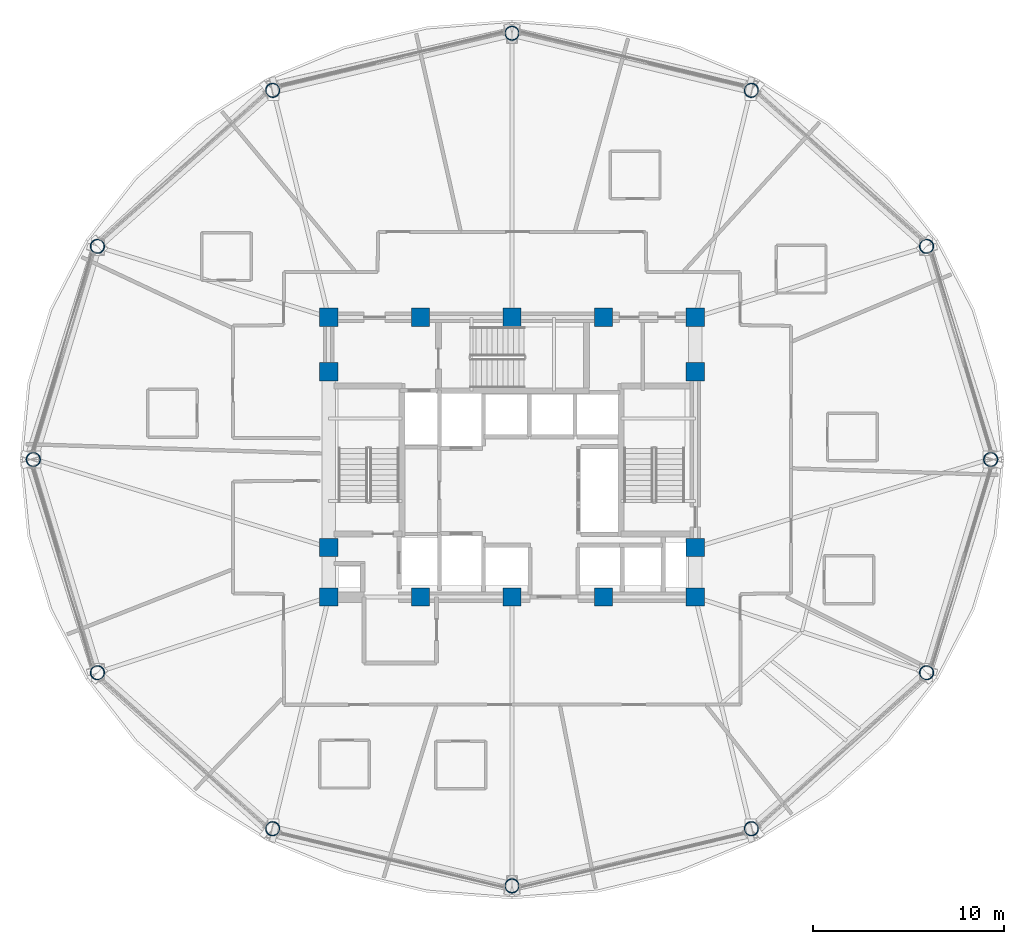
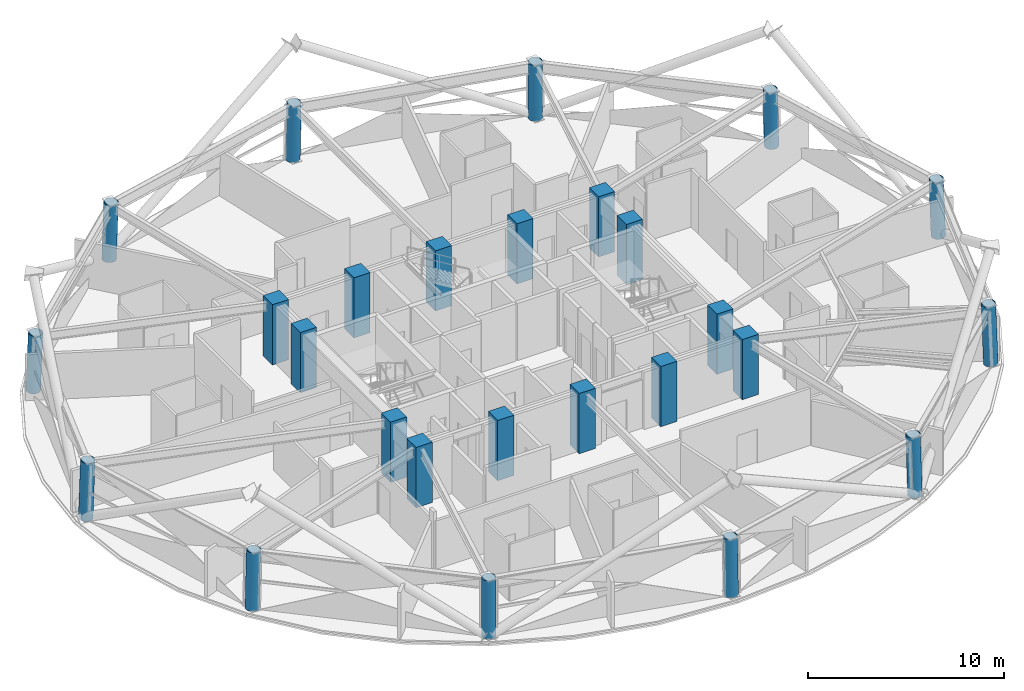
# One storey, part 1 of 15: 26 columns.
"""IFC4 building model written with IfcOpenShell, lengths in metres."""

import ifcopenshell
import ifcopenshell.guid

model = None  # the IFC model being written
_history = None  # IfcOwnerHistory: only IFC2X3 demands one
_inside = {}  # id of a spatial element -> (the spatial element, [elements in it])
_under = {}  # id of a project, library or spatial element -> (it, [spatial elements below it])
_declared = {}  # id of a project -> (the project, [libraries it declares])
_typed = {}  # id of a type object -> (the type object, [elements of that type])
_made_of = {}  # id of a material, layer set ... -> (it, [elements and type objects made of it])


def new_model(schema):
    """Start an empty IFC model of exactly this schema.

    Asked for "IFC4X3", IfcOpenShell would pick the latest addendum, in which some entities
    have other attributes; the version numbers below select the first issue.
    IFC2X3 requires an IfcOwnerHistory on every rooted entity: one is made here for all.
    """
    global model, _history
    if schema == "IFC4X3":
        model = ifcopenshell.file(schema_version=(4, 3, 0, 0))
    else:
        model = ifcopenshell.file(schema=schema)
    _inside.clear()
    _under.clear()
    _declared.clear()
    _typed.clear()
    _made_of.clear()
    _history = None
    if model.schema == "IFC2X3":
        org = make("IfcOrganization", Name="unknown")
        user = make(
            "IfcPersonAndOrganization",
            ThePerson=make("IfcPerson", FamilyName="unknown"),
            TheOrganization=org,
        )
        app = make(
            "IfcApplication",
            ApplicationDeveloper=org,
            Version="unknown",
            ApplicationFullName="unknown",
            ApplicationIdentifier="unknown",
        )
        _history = make(
            "IfcOwnerHistory",
            OwningUser=user,
            OwningApplication=app,
            ChangeAction="ADDED",
            CreationDate=0,
        )
    return model


def make(cls, **values):
    """One entity of the class cls with the attributes given. An attribute that is None is left unset."""
    return model.create_entity(
        cls, **{name: value for name, value in values.items() if value is not None}
    )


def rooted(cls, **values):
    """An entity with a GlobalId (a new one), such as an element, a storey or a relation."""
    return make(cls, GlobalId=ifcopenshell.guid.new(), OwnerHistory=_history, **values)


def si_unit(unit_type, name, prefix=None):
    """IfcSIUnit, for example si_unit("LENGTHUNIT", "METRE", prefix="MILLI")."""
    return make("IfcSIUnit", UnitType=unit_type, Prefix=prefix, Name=name)


def assignment(units):
    """IfcUnitAssignment: the units of a project."""
    return None if units is None else make("IfcUnitAssignment", Units=units)


def point(xyz):
    """IfcCartesianPoint."""
    return None if xyz is None else make("IfcCartesianPoint", Coordinates=xyz)


def direction(xyz):
    """IfcDirection."""
    return None if xyz is None else make("IfcDirection", DirectionRatios=xyz)


def frame(location, z_axis=None, x_axis=None):
    """IfcAxis2Placement3D, a coordinate frame: its origin and axes. An axis left out is left unset."""
    return make(
        "IfcAxis2Placement3D",
        Location=point(location),
        Axis=direction(z_axis),
        RefDirection=direction(x_axis),
    )


def frame_2d(location, x_axis=None):
    """IfcAxis2Placement2D, a coordinate frame in the plane: its origin and x axis."""
    return make(
        "IfcAxis2Placement2D", Location=point(location), RefDirection=direction(x_axis)
    )


def origin():
    """The frame at (0, 0, 0) with its axes left unset."""
    return frame((0.0, 0.0, 0.0))


def origin_2d():
    """The frame at (0, 0) in the plane with its x axis left unset."""
    return frame_2d((0.0, 0.0))


def place(relative_to, where):
    """IfcLocalPlacement: puts the frame where relative to a parent placement (None: the world)."""
    return make(
        "IfcLocalPlacement", PlacementRelTo=relative_to, RelativePlacement=where
    )


def context(
    kind, dimensions, precision=None, world=None, true_north=None, identifier=None
):
    """IfcGeometricRepresentationContext, for example the 3D "Model" context."""
    return make(
        "IfcGeometricRepresentationContext",
        ContextIdentifier=identifier,
        ContextType=kind,
        CoordinateSpaceDimension=dimensions,
        Precision=precision,
        WorldCoordinateSystem=world,
        TrueNorth=true_north,
    )


def subcontext(parent, identifier, kind, view, scale=None):
    """IfcGeometricRepresentationSubContext, for example "Body" below "Model"."""
    return make(
        "IfcGeometricRepresentationSubContext",
        ContextIdentifier=identifier,
        ContextType=kind,
        ParentContext=parent,
        TargetScale=scale,
        TargetView=view,
    )


def project(units=None, contexts=None):
    """IfcProject with its units and contexts."""
    return rooted(
        "IfcProject",
        Name="project",
        RepresentationContexts=contexts,
        UnitsInContext=assignment(units),
    )


def spatial(cls, under=None, at=None, **own):
    """A site, building, storey or space (cls), placed at a placement, below another one or the project."""
    s = rooted(cls, ObjectPlacement=at, **own)
    if under is not None:
        _under.setdefault(under.id(), (under, []))[1].append(s)
    return s


def profile(cls, at=None, kind="AREA", **sizes):
    """A parametric profile (cls). Its sizes go by their IFC names, for example OverallWidth=200.0."""
    return make(cls, ProfileType=kind, Position=at, **sizes)


def rectangle(**sizes):
    """IfcRectangleProfileDef."""
    return profile("IfcRectangleProfileDef", **sizes)


def hollow_circle(**sizes):
    """IfcCircleHollowProfileDef."""
    return profile("IfcCircleHollowProfileDef", **sizes)


def extrude(swept, where, along, depth):
    """IfcExtrudedAreaSolid: the profile swept, set in the frame where, extruded along a direction by depth."""
    return make(
        "IfcExtrudedAreaSolid",
        SweptArea=swept,
        Position=where,
        ExtrudedDirection=direction(along),
        Depth=depth,
    )


def shape(context_of_items, identifier, shape_type, items):
    """IfcShapeRepresentation: the items that make up one representation, for example the "Body"."""
    return make(
        "IfcShapeRepresentation",
        ContextOfItems=context_of_items,
        RepresentationIdentifier=identifier,
        RepresentationType=shape_type,
        Items=items,
    )


def material(Name=None, Category=None):
    """IfcMaterial."""
    return make("IfcMaterial", Name=Name, Category=Category)


def material_profile(
    of_material, cross_section, Name=None, Category=None, Priority=None
):
    """IfcMaterialProfile: a cross section and its material."""
    return make(
        "IfcMaterialProfile",
        Name=Name,
        Material=of_material,
        Profile=cross_section,
        Priority=Priority,
        Category=Category,
    )


def profile_set(profiles, Name=None, composite=None):
    """IfcMaterialProfileSet."""
    return make(
        "IfcMaterialProfileSet",
        Name=Name,
        MaterialProfiles=profiles,
        CompositeProfile=composite,
    )


def made_of(thing, what):
    """Note that an element or type object is made of a material, layer set ...; save() writes the relation."""
    if what is not None:
        _made_of.setdefault(what.id(), (what, []))[1].append(thing)
    return thing


def type_object(cls, material=None, **own):
    """A type object (cls), such as IfcWallType, which elements share."""
    return made_of(rooted(cls, **own), material)


def element(
    cls,
    number,
    at=None,
    inside=None,
    cuts=None,
    type_object=None,
    material=None,
    context=None,
    identifier="Body",
    shape_type=None,
    held_by="IfcProductDefinitionShape",
    body=None,
    shapes=None,
    **own,
):
    """One element of the class cls, such as IfcWall. Its Tag is "e" and its number.

    at: its placement. inside: the storey or other place that contains it. cuts: it is an
    opening in that element (IfcRelVoidsElement). A single representation is given by context,
    identifier, shape_type and body (its items); several are given by shapes. held_by: the class
    of the entity that holds the representations. save() writes the other relations.
    """
    e = rooted(cls, Tag="e%d" % number, ObjectPlacement=at, **own)
    if body is not None:
        shapes = [shape(context, identifier, shape_type, body)]
    if shapes is not None:
        e.Representation = make(held_by, Representations=shapes)
    if inside is not None:
        _inside.setdefault(inside.id(), (inside, []))[1].append(e)
    if cuts is not None:
        rooted(
            "IfcRelVoidsElement", RelatingBuildingElement=cuts, RelatedOpeningElement=e
        )
    if type_object is not None:
        _typed.setdefault(type_object.id(), (type_object, []))[1].append(e)
    return made_of(e, material)


def aggregate(whole, parts):
    """IfcRelAggregates: a whole, such as a stair, and the parts it consists of."""
    return rooted("IfcRelAggregates", RelatingObject=whole, RelatedObjects=parts)


def save(model, path):
    """Write the relations noted so far, then the file.

    IfcRelAggregates (storeys below a building ...), IfcRelContainedInSpatialStructure (elements
    in a storey), IfcRelDefinesByType, IfcRelAssociatesMaterial and IfcRelDeclares: one each for
    every whole, place, type object, material and project.
    """
    for whole, parts in _under.values():
        aggregate(whole, parts)
    for where, things in _inside.values():
        rooted(
            "IfcRelContainedInSpatialStructure",
            RelatedElements=things,
            RelatingStructure=where,
        )
    for kind, things in _typed.values():
        rooted("IfcRelDefinesByType", RelatedObjects=things, RelatingType=kind)
    for what, things in _made_of.values():
        rooted("IfcRelAssociatesMaterial", RelatedObjects=things, RelatingMaterial=what)
    for by, libraries in _declared.values():
        rooted("IfcRelDeclares", RelatingContext=by, RelatedDefinitions=libraries)
    model.write(path)


model = new_model("IFC4")

# Units and contexts
model_context = context("Model", 3, precision=1e-05, world=origin(), true_north=direction((0.0, 1.0)))
body_context = subcontext(model_context, "Body", "Model", "MODEL_VIEW")
ifc_project = project(units=[si_unit("LENGTHUNIT", "METRE"), si_unit("AREAUNIT", "SQUARE_METRE"), si_unit("VOLUMEUNIT", "CUBIC_METRE"), si_unit("PLANEANGLEUNIT", "RADIAN"), si_unit("MASSUNIT", "GRAM", prefix="KILO")], contexts=[model_context])

# Site, building, storey
site_placement = place(None, origin())
site = spatial("IfcSite", under=ifc_project, at=site_placement, CompositionType="ELEMENT")
building_placement = place(site_placement, origin())
building = spatial("IfcBuilding", under=site, at=building_placement, Name="Vantalir Tower", CompositionType="ELEMENT")
storey_placement = place(building_placement, frame((0.0, 0.0, 134.699951171875)))
storey = spatial("IfcBuildingStorey", under=building, at=storey_placement, Name="L33", CompositionType="ELEMENT", Elevation=134.699951171875)

# Columns
ifc_material_1 = material(Name="Concrete C60/75", Category="concrete")
ifc_material_profile_1 = material_profile(ifc_material_1, rectangle(XDim=0.949951171875, YDim=0.949951171875, at=origin_2d()), Name="Concrete C60/75")
ifc_profile_set_1 = profile_set([ifc_material_profile_1], Name="Concrete C60/75")
column_type_1 = type_object("IfcColumnType", Name="COL-CC-950", PredefinedType="COLUMN", material=ifc_profile_set_1)
for number, where, z_axis, x_axis, name in (
    (1, (21.89990234375, 17.800048828125, 0.0), (0.0, 0.0, 1.0), (1.0, 0.0, 0.0), "L33 Core Column CC01"),
    (2, (26.699951171875, 17.800048828125, 0.0), (0.0, 0.0, 1.0), (1.0, 0.0, 0.0), "L33 Core Column CC02"),
    (3, (31.5, 17.800048828125, 0.0), (0.0, 0.0, 1.0), (1.0, 0.0, 0.0), "L33 Core Column CC03"),
    (4, (36.300048828125, 17.800048828125, 0.0), (0.0, 0.0, 1.0), (1.0, 0.0, 0.0), "L33 Core Column CC04"),
    (5, (41.10009765625, 17.800048828125, 0.0), (0.0, 0.0, 1.0), (1.0, 0.0, 0.0), "L33 Core Column CC05"),
    (6, (21.89990234375, 20.39990234375, 0.0), (0.0, 0.0, 1.0), (1.0, 0.0, 0.0), "L33 Core Column CC06"),
    (7, (21.89990234375, 29.60009765625, 0.0), (0.0, 0.0, 1.0), (1.0, 0.0, 0.0), "L33 Core Column CC07"),
    (8, (41.10009765625, 20.39990234375, 0.0), (0.0, 0.0, 1.0), (1.0, 0.0, 0.0), "L33 Core Column CC08"),
    (9, (41.10009765625, 29.60009765625, 0.0), (0.0, 0.0, 1.0), (1.0, 0.0, 0.0), "L33 Core Column CC09"),
    (10, (21.89990234375, 32.449951171875, 0.0), (0.0, 0.0, 1.0), (1.0, 0.0, 0.0), "L33 Core Column CC10"),
    (11, (26.699951171875, 32.449951171875, 0.0), (0.0, 0.0, 1.0), (1.0, 0.0, 0.0), "L33 Core Column CC11"),
    (12, (31.5, 32.449951171875, 0.0), (0.0, 0.0, 1.0), (1.0, 0.0, 0.0), "L33 Core Column CC12"),
    (13, (36.300048828125, 32.449951171875, 0.0), (0.0, 0.0, 1.0), (1.0, 0.0, 0.0), "L33 Core Column CC13"),
    (14, (41.10009765625, 32.449951171875, 0.0), (0.0, 0.0, 1.0), (1.0, 0.0, 0.0), "L33 Core Column CC14"),
):
    element("IfcColumn", number, at=place(storey_placement, frame(where, z_axis=z_axis, x_axis=x_axis)), inside=storey, type_object=column_type_1, Name=name, PredefinedType="COLUMN", context=body_context, shape_type="SweptSolid", body=[
        extrude(rectangle(XDim=0.949951171875, YDim=0.949951171875, at=origin_2d()), origin(), (0.0, 0.0, 1.0), 3.75),
    ])
ifc_material_2 = material(Name="Steel S460", Category="steel")
ifc_material_profile_2 = material_profile(ifc_material_2, hollow_circle(Radius=0.375, WallThickness=0.034912109375, at=origin_2d()), Name="Steel S460")
ifc_profile_set_2 = profile_set([ifc_material_profile_2], Name="Steel S460")
column_type_2 = type_object("IfcColumnType", Name="COL-RC-750", PredefinedType="COLUMN", material=ifc_profile_set_2)
column_1_placement = place(storey_placement, frame((56.593017578125, 25.0, 0.0), z_axis=(-0.034718849515, 0.0, 0.999397119011), x_axis=(0.0, -1.0, 0.0)))
element("IfcColumn", 15, at=column_1_placement, inside=storey, type_object=column_type_2, Name="L33 Perimeter Ring Column RC01", PredefinedType="COLUMN", context=body_context, shape_type="SweptSolid", body=[
    extrude(hollow_circle(Radius=0.375, WallThickness=0.034912109375, at=origin_2d()), origin(), (0.0, 0.0, 1.0), 3.572265625),
])
column_2_placement = place(storey_placement, frame((53.23095703125, 36.172119140625, 0.0), z_axis=(-0.029935814875, -0.015446333702, 0.999432467835), x_axis=(0.458539552628, -0.888674000225, 0.0)))
element("IfcColumn", 16, at=column_2_placement, inside=storey, type_object=column_type_2, Name="L33 Perimeter Ring Column RC02", PredefinedType="COLUMN", context=body_context, shape_type="SweptSolid", body=[
    extrude(hollow_circle(Radius=0.375, WallThickness=0.034912109375, at=origin_2d()), origin(), (0.0, 0.0, 1.0), 3.572021484375),
])
for number, where, z_axis, x_axis, name in (
    (17, (44.047119140625, 44.35107421875, 0.0), (-0.017361136991, -0.026588512951, 0.999495693788), (0.837310723629, -0.546727310545, 0.0), "L33 Perimeter Ring Column RC03"),
    (18, (31.5, 47.344970703125, 0.0), (0.0, -0.03075887815, 0.999526833764), (1.0, 0.0, 0.0), "L33 Perimeter Ring Column RC04"),
    (19, (18.9541015625, 44.35107421875, 0.0), (0.017361136991, -0.026588512951, 0.999495693788), (0.837310723629, 0.546727310545, 0.0), "L33 Perimeter Ring Column RC05"),
):
    element("IfcColumn", number, at=place(storey_placement, frame(where, z_axis=z_axis, x_axis=x_axis)), inside=storey, type_object=column_type_2, Name=name, PredefinedType="COLUMN", context=body_context, shape_type="SweptSolid", body=[
        extrude(hollow_circle(Radius=0.375, WallThickness=0.034912109375, at=origin_2d()), origin(), (0.0, 0.0, 1.0), 3.57177734375),
    ])
column_3_placement = place(storey_placement, frame((9.76904296875, 36.172119140625, 0.0), z_axis=(0.029935814875, -0.015446333702, 0.999432467835), x_axis=(0.458539552628, 0.888674000225, 0.0)))
element("IfcColumn", 20, at=column_3_placement, inside=storey, type_object=column_type_2, Name="L33 Perimeter Ring Column RC06", PredefinedType="COLUMN", context=body_context, shape_type="SweptSolid", body=[
    extrude(hollow_circle(Radius=0.375, WallThickness=0.034912109375, at=origin_2d()), origin(), (0.0, 0.0, 1.0), 3.572021484375),
])
column_4_placement = place(storey_placement, frame((6.406982421875, 25.0, 0.0), z_axis=(0.034718849515, 0.0, 0.999397119011), x_axis=(0.0, 1.0, 0.0)))
element("IfcColumn", 21, at=column_4_placement, inside=storey, type_object=column_type_2, Name="L33 Perimeter Ring Column RC07", PredefinedType="COLUMN", context=body_context, shape_type="SweptSolid", body=[
    extrude(hollow_circle(Radius=0.375, WallThickness=0.034912109375, at=origin_2d()), origin(), (0.0, 0.0, 1.0), 3.572265625),
])
column_5_placement = place(storey_placement, frame((9.76904296875, 13.826904296875, 0.0), z_axis=(0.029935814875, 0.015446333702, 0.999432467835), x_axis=(-0.458539552628, 0.888674000225, 0.0)))
element("IfcColumn", 22, at=column_5_placement, inside=storey, type_object=column_type_2, Name="L33 Perimeter Ring Column RC08", PredefinedType="COLUMN", context=body_context, shape_type="SweptSolid", body=[
    extrude(hollow_circle(Radius=0.375, WallThickness=0.034912109375, at=origin_2d()), origin(), (0.0, 0.0, 1.0), 3.572021484375),
])
for number, where, z_axis, x_axis, name in (
    (23, (18.952880859375, 5.64892578125, 0.0), (0.017361136991, 0.026588512951, 0.999495693788), (-0.837310723629, 0.546727310545, 0.0), "L33 Perimeter Ring Column RC09"),
    (24, (31.5, 2.655029296875, 0.0), (0.0, 0.03075887815, 0.999526833764), (-1.0, 0.0, 0.0), "L33 Perimeter Ring Column RC10"),
):
    element("IfcColumn", number, at=place(storey_placement, frame(where, z_axis=z_axis, x_axis=x_axis)), inside=storey, type_object=column_type_2, Name=name, PredefinedType="COLUMN", context=body_context, shape_type="SweptSolid", body=[
        extrude(hollow_circle(Radius=0.375, WallThickness=0.034912109375, at=origin_2d()), origin(), (0.0, 0.0, 1.0), 3.57177734375),
    ])
column_6_placement = place(storey_placement, frame((44.047119140625, 5.64892578125, 0.0), z_axis=(-0.016643652637, 0.025489688487, 0.999536524899), x_axis=(-0.837310723629, -0.546727310545, 0.0)))
element("IfcColumn", 25, at=column_6_placement, inside=storey, type_object=column_type_2, Name="L33 Perimeter Ring Column RC11", PredefinedType="COLUMN", context=body_context, shape_type="SweptSolid", body=[
    extrude(hollow_circle(Radius=0.375, WallThickness=0.034912109375, at=origin_2d()), origin(), (0.0, 0.0, 1.0), 3.725830078125),
])
column_7_placement = place(storey_placement, frame((53.23095703125, 13.826904296875, 0.0), z_axis=(-0.028698803287, 0.014808058317, 0.999478414023), x_axis=(-0.458539552628, -0.888674000225, 0.0)))
element("IfcColumn", 26, at=column_7_placement, inside=storey, type_object=column_type_2, Name="L33 Perimeter Ring Column RC12", PredefinedType="COLUMN", context=body_context, shape_type="SweptSolid", body=[
    extrude(hollow_circle(Radius=0.375, WallThickness=0.034912109375, at=origin_2d()), origin(), (0.0, 0.0, 1.0), 3.72607421875),
])

save(model, "model.ifc")
